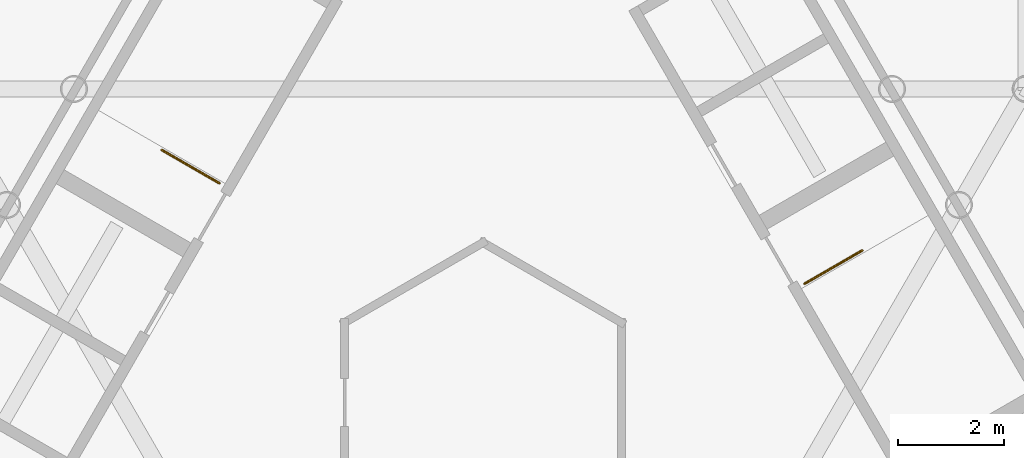
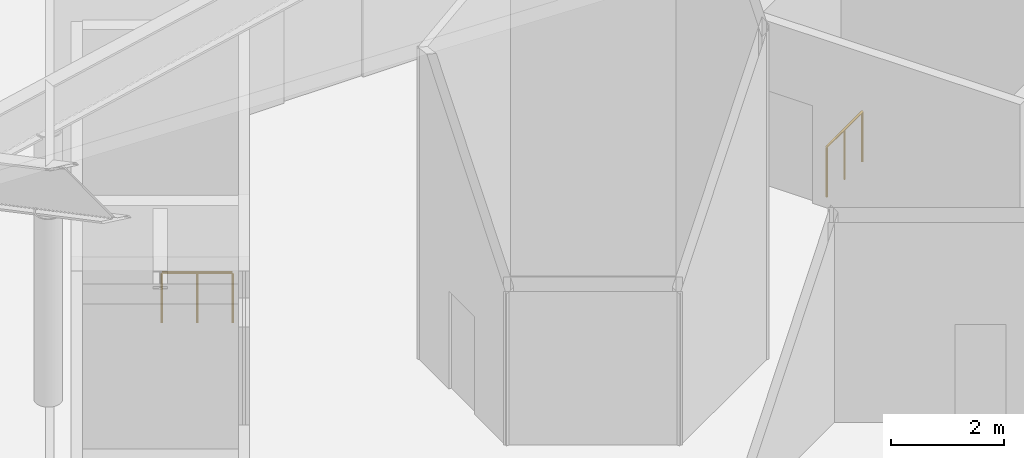
# One storey, part 5 of 5: 2 railings.
"""IFC4 building model written with IfcOpenShell, lengths in metres."""

from ifc_helpers import new_model, si_unit, direction, frame, origin, origin_2d, place, context, subcontext, project, spatial, circle, extrude, material, type_object, element, save


model = new_model("IFC4")

# Units and contexts
model_context = context("Model", 3, precision=1e-05, world=origin(), true_north=direction((0.0, 1.0)))
body_context = subcontext(model_context, "Body", "Model", "MODEL_VIEW")
ifc_project = project(units=[si_unit("LENGTHUNIT", "METRE"), si_unit("AREAUNIT", "SQUARE_METRE"), si_unit("VOLUMEUNIT", "CUBIC_METRE"), si_unit("PLANEANGLEUNIT", "RADIAN"), si_unit("MASSUNIT", "GRAM", prefix="KILO")], contexts=[model_context])

# Site, building, storey
site_placement = place(None, origin())
site = spatial("IfcSite", under=ifc_project, at=site_placement, CompositionType="ELEMENT")
building_placement = place(site_placement, origin())
building = spatial("IfcBuilding", under=site, at=building_placement, Name="Kosmar Iwan School Tower", CompositionType="ELEMENT")
storey_placement = place(building_placement, frame((0.0, 0.0, 301.0)))
storey = spatial("IfcBuildingStorey", under=building, at=storey_placement, Name="RF", CompositionType="ELEMENT", Elevation=301.0)

# Railings
ifc_material = material(Name="Black steel", Category="steel")
railing_type = type_object("IfcRailingType", Name="Stair well guard 1100", PredefinedType="GUARDRAIL", material=ifc_material)
railing_1_placement = place(storey_placement, frame((-4.954345703125, 4.118896484375, 0.0)))
element("IfcRailing", 1, at=railing_1_placement, inside=storey, type_object=railing_type, Name="Stair ST2 well guard", PredefinedType="GUARDRAIL", context=body_context, shape_type="SweptSolid", body=[
    extrude(circle(Radius=0.02392578125, at=origin_2d()), frame((0.0, 0.0, 1.076171875), z_axis=(-0.866022959057, 0.500004234368, 0.0), x_axis=(-0.500004234368, -0.866022959057, 0.0)), (0.0, 0.0, 1.0), 1.25),
    extrude(circle(Radius=0.02099609375, at=origin_2d()), origin(), (0.0, 0.0, 1.0), 1.052001953125),
    extrude(circle(Radius=0.02099609375, at=origin_2d()), frame((-0.541259765625, 0.3125, 0.0)), (0.0, 0.0, 1.0), 1.052001953125),
    extrude(circle(Radius=0.02099609375, at=origin_2d()), frame((-1.08251953125, 0.625, 0.0)), (0.0, 0.0, 1.0), 1.052001953125),
])
railing_2_placement = place(storey_placement, frame((6.044189453125, 2.23095703125, 0.0)))
element("IfcRailing", 2, at=railing_2_placement, inside=storey, type_object=railing_type, Name="Stair ST1 well guard", PredefinedType="GUARDRAIL", context=body_context, shape_type="SweptSolid", body=[
    extrude(circle(Radius=0.02392578125, at=origin_2d()), frame((0.0, 0.0, 1.076171875), z_axis=(0.866022959057, 0.500004234368, 0.0), x_axis=(-0.500004234368, 0.866022959057, 0.0)), (0.0, 0.0, 1.0), 1.25),
    extrude(circle(Radius=0.02099609375, at=origin_2d()), origin(), (0.0, 0.0, 1.0), 1.052001953125),
    extrude(circle(Radius=0.02099609375, at=origin_2d()), frame((0.541259765625, 0.3125, 0.0)), (0.0, 0.0, 1.0), 1.052001953125),
    extrude(circle(Radius=0.02099609375, at=origin_2d()), frame((1.08251953125, 0.625, 0.0)), (0.0, 0.0, 1.0), 1.052001953125),
])

save(model, "model.ifc")
